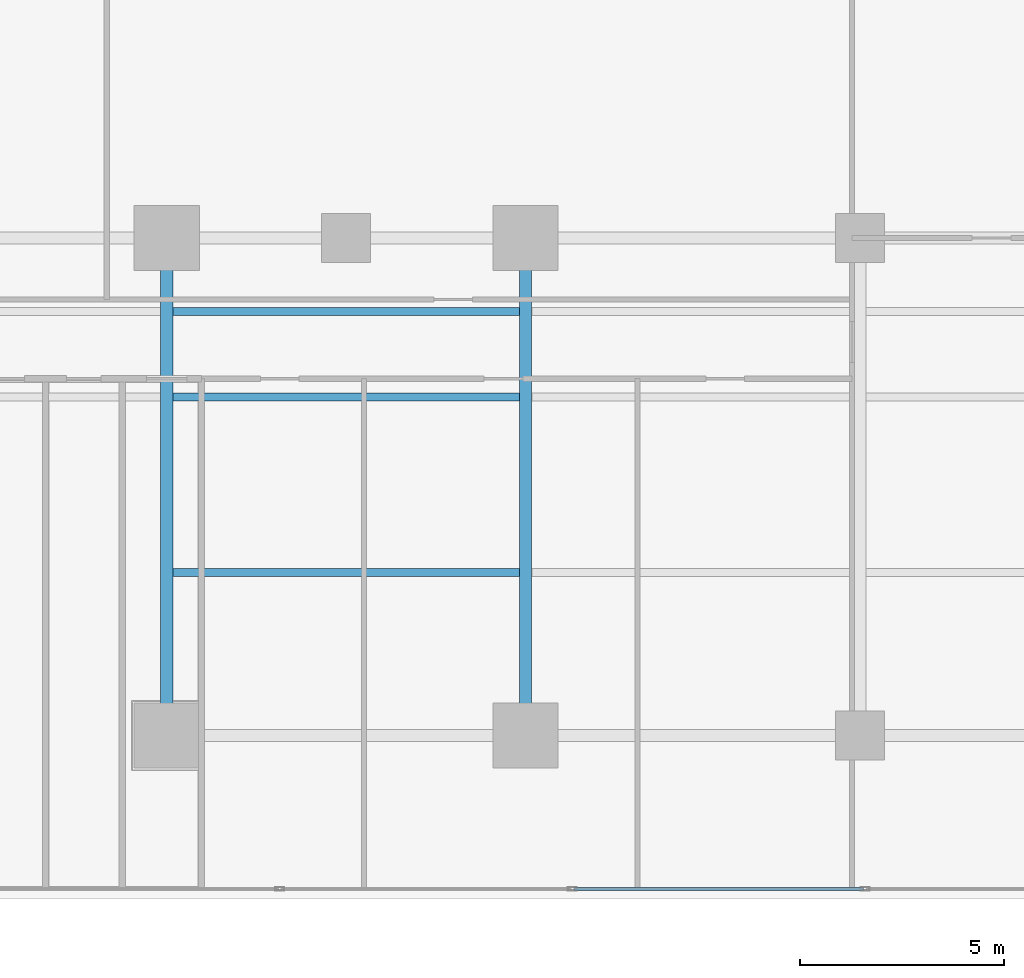
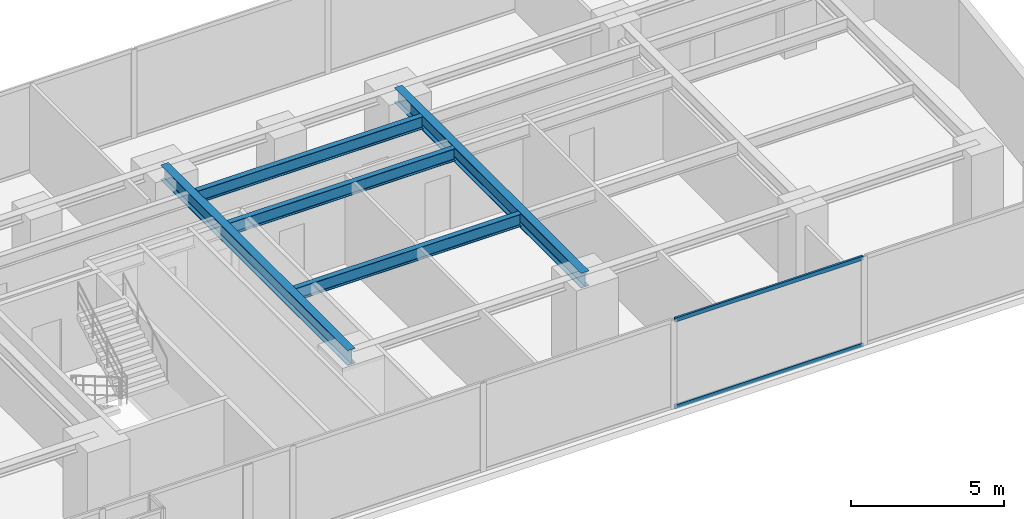
# One storey, part 10 of 27: 5 beams, 2 members, 1 element without a shape of its own.
"""IFC4 building model written with IfcOpenShell, lengths in metres."""

from ifc_helpers import new_model, si_unit, direction, frame, origin, origin_with_axes, origin_2d, place, context, subcontext, project, spatial, hollow_rectangle, i_section, extrude, source, transform, mapped, material, layer, layer_set, material_profile, profile_set, type_object, element, aggregate, save


model = new_model("IFC4")

# Units and contexts
model_context = context("Model", 3, precision=1e-05, world=origin(), true_north=direction((0.0, 1.0)))
body_context = subcontext(model_context, "Body", "Model", "MODEL_VIEW")
ifc_project = project(units=[si_unit("LENGTHUNIT", "METRE"), si_unit("AREAUNIT", "SQUARE_METRE"), si_unit("VOLUMEUNIT", "CUBIC_METRE"), si_unit("PLANEANGLEUNIT", "RADIAN"), si_unit("MASSUNIT", "GRAM", prefix="KILO")], contexts=[model_context])

# Site, building, storey
site_placement = place(None, origin())
site = spatial("IfcSite", under=ifc_project, at=site_placement, CompositionType="ELEMENT")
building_placement = place(site_placement, origin())
building = spatial("IfcBuilding", under=site, at=building_placement, Name="Kolvaren Waterfront Exchange", CompositionType="ELEMENT")
storey_placement = place(building_placement, frame((0.0, 0.0, 60.0)))
storey = spatial("IfcBuildingStorey", under=building, at=storey_placement, Name="L15", CompositionType="ELEMENT", Elevation=60.0)

# Beams
ifc_material_1 = material(Name="Steel S355", Category="steel")
ifc_material_profile_1 = material_profile(ifc_material_1, i_section(OverallWidth=0.300048828125, OverallDepth=0.60009765625, WebThickness=0.015380859375, FlangeThickness=0.030029296875, FilletRadius=0.027099609375, at=origin_2d()), Name="HEB600")
ifc_profile_set_1 = profile_set([ifc_material_profile_1], Name="Steel S355")
beam_type_1 = type_object("IfcBeamType", Name="STR-BM-HEB600", PredefinedType="BEAM", material=ifc_profile_set_1)
for number, where, z_axis, x_axis, name in (
    (1, (36.800048828125, 5.199951171875, 3.239990234375), (0.0, 1.0, 0.0), (-1.0, 0.0, 0.0), "L15 east-arm transverse girder X36"),
    (2, (45.60009765625, 5.199951171875, 3.239990234375), (0.0, 1.0, 0.0), (-1.0, 0.0, 0.0), "L15 east-arm transverse girder X45"),
):
    element("IfcBeam", number, at=place(storey_placement, frame(where, z_axis=z_axis, x_axis=x_axis)), inside=storey, type_object=beam_type_1, Name=name, PredefinedType="BEAM", context=body_context, shape_type="SweptSolid", body=[
        extrude(i_section(OverallWidth=0.300048828125, OverallDepth=0.60009765625, WebThickness=0.015380859375, FlangeThickness=0.030029296875, FilletRadius=0.027099609375, at=origin_2d()), origin(), (0.0, 0.0, 1.0), 12.199951171875),
    ])
ifc_material_profile_2 = material_profile(ifc_material_1, i_section(OverallWidth=0.199951171875, OverallDepth=0.5, WebThickness=0.01025390625, FlangeThickness=0.01611328125, FilletRadius=0.02099609375, at=origin_2d()), Name="IPE500")
ifc_profile_set_2 = profile_set([ifc_material_profile_2], Name="Steel S355")
beam_type_2 = type_object("IfcBeamType", Name="STR-BM-IPE500", PredefinedType="JOIST", material=ifc_profile_set_2)
for number, where, z_axis, x_axis, name in (
    (3, (36.951904296875, 13.5, 3.2900390625), (1.0, 0.0, 0.0), (0.0, 1.0, 0.0), "L15 east-arm composite joist 3A"),
    (4, (36.951904296875, 15.60009765625, 3.2900390625), (1.0, 0.0, 0.0), (0.0, 1.0, 0.0), "L15 east-arm composite joist 3C"),
    (5, (36.951904296875, 9.199951171875, 3.2900390625), (1.0, 0.0, 0.0), (0.0, 1.0, 0.0), "L15 east-arm composite joist 3B"),
):
    element("IfcBeam", number, at=place(storey_placement, frame(where, z_axis=z_axis, x_axis=x_axis)), inside=storey, type_object=beam_type_2, Name=name, PredefinedType="JOIST", context=body_context, shape_type="SweptSolid", body=[
        extrude(i_section(OverallWidth=0.199951171875, OverallDepth=0.5, WebThickness=0.01025390625, FlangeThickness=0.01611328125, FilletRadius=0.02099609375, at=origin_2d()), origin(), (0.0, 0.0, 1.0), 8.49609375),
    ])

# Curtain wall, members
ifc_material_2 = material(Name="Anodised bronze aluminium 6063-T6", Category="aluminium")
ifc_layer = layer(ifc_material_2, 0.219970703125, Name="Anodised bronze aluminium 6063-T6")
ifc_layer_set = layer_set([ifc_layer], Name="Anodised bronze aluminium 6063-T6")
curtain_wall_type = type_object("IfcCurtainWallType", Name="ARC-CW-SYS1", PredefinedType="USERDEFINED", material=ifc_layer_set)
curtain_wall_placement = place(storey_placement, origin())
curtain_wall = element("IfcCurtainWall", 6, at=curtain_wall_placement, inside=storey, type_object=curtain_wall_type, Name="L15 stick curtain wall CW1 (CW-L15-S)", ObjectType="STICK CURTAIN WALL", PredefinedType="USERDEFINED")
ifc_material_3 = material(Name="Anodised aluminium 6063-T6", Category="aluminium")
ifc_material_profile_3 = material_profile(ifc_material_3, hollow_rectangle(XDim=0.074951171875, YDim=0.159912109375, WallThickness=0.00439453125, at=origin_2d()), Name="ALU-TRN-160x75x4.5")
ifc_profile_set_3 = profile_set([ifc_material_profile_3], Name="Anodised aluminium 6063-T6")
member_type = type_object("IfcMemberType", Name="ARC-CWT-160", PredefinedType="USERDEFINED", material=ifc_profile_set_3)
shared_shape = source(origin_with_axes(), body_context, "Body", "SweptSolid", [
    extrude(hollow_rectangle(XDim=0.074951171875, YDim=0.159912109375, WallThickness=0.00439453125, at=origin_2d()), origin(), (0.0, 0.0, 1.0), 7.094970703125),
])
member_1_placement = place(storey_placement, frame((46.7900390625, 1.43994140625, 0.03759765625), z_axis=(1.0, 0.0, 0.0), x_axis=(0.0, 1.0, 0.0)))
member_1 = element("IfcMember", 7, at=member_1_placement, type_object=member_type, Name="CW1 transom 7.1", ObjectType="TRANSOM", PredefinedType="USERDEFINED", context=body_context, shape_type="MappedRepresentation", body=[
    mapped(shared_shape, transform((0.0, 0.0, 0.0), x_axis=(1.0, 0.0, 0.0), y_axis=(0.0, 1.0, 0.0), z_axis=(0.0, 0.0, 1.0), scale=1.0)),
])
member_2_placement = place(storey_placement, frame((46.7900390625, 1.43994140625, 3.50244140625), z_axis=(1.0, 0.0, 0.0), x_axis=(0.0, 1.0, 0.0)))
member_2 = element("IfcMember", 8, at=member_2_placement, type_object=member_type, Name="CW1 transom 7.2", ObjectType="TRANSOM", PredefinedType="USERDEFINED", context=body_context, shape_type="MappedRepresentation", body=[
    mapped(shared_shape, transform((0.0, 0.0, 0.0), x_axis=(1.0, 0.0, 0.0), y_axis=(0.0, 1.0, 0.0), z_axis=(0.0, 0.0, 1.0), scale=1.0)),
])
aggregate(curtain_wall, [member_1, member_2])

save(model, "model.ifc")
